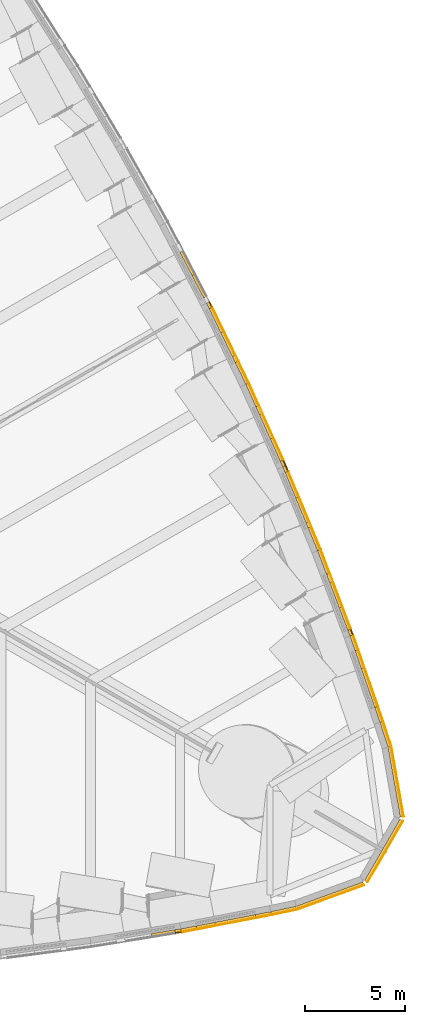
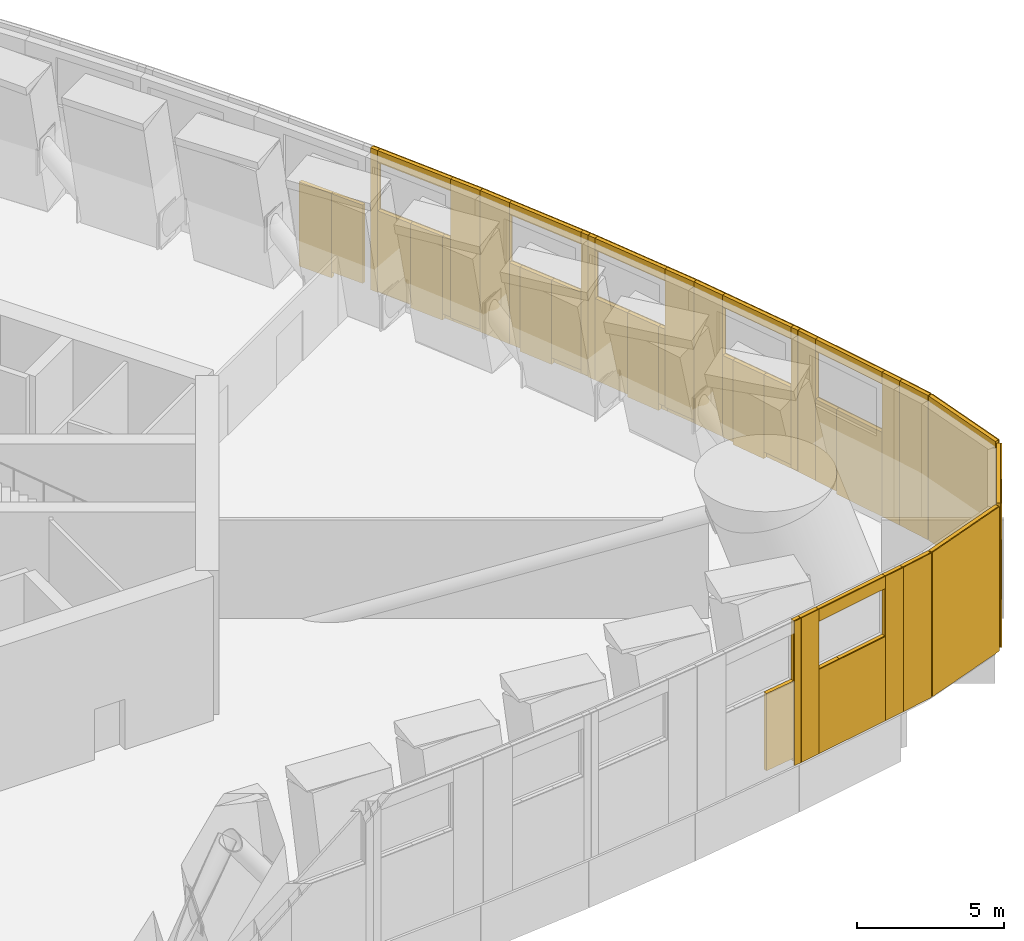
# One storey, part 24 of 28: 73 coverings.
"""IFC4 building model written with IfcOpenShell, lengths in metres."""

from ifc_helpers import new_model, si_unit, direction, frame, origin, origin_2d, place, context, subcontext, project, spatial, rectangle, extrude, material, layer, layer_set, type_object, element, save


model = new_model("IFC4")

# Units and contexts
model_context = context("Model", 3, precision=1e-05, world=origin(), true_north=direction((0.0, 1.0)))
body_context = subcontext(model_context, "Body", "Model", "MODEL_VIEW")
ifc_project = project(units=[si_unit("LENGTHUNIT", "METRE"), si_unit("AREAUNIT", "SQUARE_METRE"), si_unit("VOLUMEUNIT", "CUBIC_METRE"), si_unit("PLANEANGLEUNIT", "RADIAN"), si_unit("MASSUNIT", "GRAM", prefix="KILO")], contexts=[model_context])

# Site, building, storey
site_placement = place(None, origin())
site = spatial("IfcSite", under=ifc_project, at=site_placement, CompositionType="ELEMENT")
building_placement = place(site_placement, origin())
building = spatial("IfcBuilding", under=site, at=building_placement, Name="Trefoil Bronze Tower", CompositionType="ELEMENT")
storey_placement = place(building_placement, frame((0.0, 0.0, 92.10009765625)))
storey = spatial("IfcBuildingStorey", under=building, at=storey_placement, Name="L21", CompositionType="ELEMENT", Elevation=92.10009765625)

# Coverings
ifc_material_1 = material(Name="Bronze-finish aluminium rainscreen panel on aluminium rails", Category="aluminium")
ifc_layer_1 = layer(ifc_material_1, 0.0400390625)
ifc_layer_set_1 = layer_set([ifc_layer_1], Name="Bronze cladding panel 40")
covering_type_1 = type_object("IfcCoveringType", Name="Bronze cladding panel 40", PredefinedType="CLADDING", material=ifc_layer_set_1)
covering_1_placement = place(storey_placement, frame((26.903076171875, -25.5703125, 0.0), z_axis=(0.0, 0.0, 1.0), x_axis=(0.987181315147, 0.159602791403, 0.0)))
element("IfcCovering", 1, at=covering_1_placement, inside=storey, type_object=covering_type_1, Name="Cladding panel L21 Face 1.14 piece 2", PredefinedType="CLADDING", context=body_context, shape_type="SweptSolid", body=[
    extrude(rectangle(XDim=0.300048828125, YDim=0.0400390625, at=origin_2d()), origin(), (0.0, 0.0, 1.0), 6.0),
])
for number, where, z_axis, x_axis, name in (
    (2, (27.44873046875, -25.469970703125, 0.0), (0.0, 0.0, 1.0), (0.982049823817, 0.188621694249, 0.0), "Cladding panel L21 Face 1.15 piece 1"),
    (3, (31.171875, -24.7548828125, 0.0), (0.0, 0.0, 1.0), (0.982049823817, 0.188621694249, 0.0), "Cladding panel L21 Face 1.15 piece 2"),
):
    element("IfcCovering", number, at=place(storey_placement, frame(where, z_axis=z_axis, x_axis=x_axis)), inside=storey, type_object=covering_type_1, Name=name, PredefinedType="CLADDING", context=body_context, shape_type="SweptSolid", body=[
        extrude(rectangle(XDim=0.791015625, YDim=0.0400390625, at=origin_2d()), origin(), (0.0, 0.0, 1.0), 6.0),
    ])
covering_2_placement = place(storey_placement, frame((29.310302734375, -25.112548828125, 0.0), z_axis=(0.0, 0.0, 1.0), x_axis=(0.982049823817, 0.188621694249, 0.0)))
element("IfcCovering", 4, at=covering_2_placement, inside=storey, type_object=covering_type_1, Name="Cladding panel L21 Face 1.15 piece 3", PredefinedType="CLADDING", context=body_context, shape_type="SweptSolid", body=[
    extrude(rectangle(XDim=3.0, YDim=0.0400390625, at=origin_2d()), origin(), (0.0, 0.0, 1.0), 3.5),
])
covering_3_placement = place(storey_placement, frame((29.310302734375, -25.112548828125, 5.5), z_axis=(0.0, 0.0, 1.0), x_axis=(0.982049823817, 0.188621694249, 0.0)))
element("IfcCovering", 5, at=covering_3_placement, inside=storey, type_object=covering_type_1, Name="Cladding panel L21 Face 1.15 piece 4", PredefinedType="CLADDING", context=body_context, shape_type="SweptSolid", body=[
    extrude(rectangle(XDim=3.0, YDim=0.0400390625, at=origin_2d()), origin(), (0.0, 0.0, 1.0), 0.5),
])
covering_4_placement = place(storey_placement, frame((32.197509765625, -24.54541015625, 0.0), z_axis=(0.0, 0.0, 1.0), x_axis=(0.978302717045, 0.20718058264, 0.0)))
element("IfcCovering", 6, at=covering_4_placement, inside=storey, type_object=covering_type_1, Name="Cladding panel L21 Face 1.16 piece 1", PredefinedType="CLADDING", context=body_context, shape_type="SweptSolid", body=[
    extrude(rectangle(XDim=1.290283203125, YDim=0.0400390625, at=origin_2d()), origin(), (0.0, 0.0, 1.0), 6.0),
])
for number, where, z_axis, x_axis, name in (
    (7, (34.537841796875, -23.79296875, 0.0), (0.0, 0.0, 1.0), (0.939692620756, 0.342020143408, 0.0), "Cladding panel L21 Corner 1.1 piece 1"),
    (8, (37.2578125, -21.5107421875, 0.0), (0.0, 0.0, 1.0), (0.499999999909, 0.866025403837, 0.0), "Cladding panel L21 Corner 1.2 piece 1"),
    (9, (37.874267578125, -18.013916015625, 0.0), (0.0, 0.0, 1.0), (-0.173648177633, 0.984807753018, 0.0), "Cladding panel L21 Corner 1.3 piece 1"),
):
    element("IfcCovering", number, at=place(storey_placement, frame(where, z_axis=z_axis, x_axis=x_axis)), inside=storey, type_object=covering_type_1, Name=name, PredefinedType="CLADDING", context=body_context, shape_type="SweptSolid", body=[
        extrude(rectangle(XDim=3.545654296875, YDim=0.0400390625, at=origin_2d()), origin(), (0.0, 0.0, 1.0), 6.0),
    ])
covering_5_placement = place(storey_placement, frame((37.355712890625, -15.611083984375, 0.0), z_axis=(0.0, 0.0, 1.0), x_axis=(-0.309727710653, 0.950825296915, 0.0)))
element("IfcCovering", 10, at=covering_5_placement, inside=storey, type_object=covering_type_1, Name="Cladding panel L21 Face 2.1 piece 1", PredefinedType="CLADDING", context=body_context, shape_type="SweptSolid", body=[
    extrude(rectangle(XDim=1.290283203125, YDim=0.0400390625, at=origin_2d()), origin(), (0.0, 0.0, 1.0), 6.0),
])
for number, where, z_axis, x_axis, name in (
    (11, (37.0244140625, -14.6181640625, 0.0), (0.0, 0.0, 1.0), (-0.327673733133, 0.94479094228, 0.0), "Cladding panel L21 Face 2.2 piece 1"),
    (12, (35.781982421875, -11.036376953125, 0.0), (0.0, 0.0, 1.0), (-0.327673733133, 0.94479094228, 0.0), "Cladding panel L21 Face 2.2 piece 2"),
):
    element("IfcCovering", number, at=place(storey_placement, frame(where, z_axis=z_axis, x_axis=x_axis)), inside=storey, type_object=covering_type_1, Name=name, PredefinedType="CLADDING", context=body_context, shape_type="SweptSolid", body=[
        extrude(rectangle(XDim=0.791015625, YDim=0.0400390625, at=origin_2d()), origin(), (0.0, 0.0, 1.0), 6.0),
    ])
covering_6_placement = place(storey_placement, frame((36.4033203125, -12.827392578125, 0.0), z_axis=(0.0, 0.0, 1.0), x_axis=(-0.327673733133, 0.94479094228, 0.0)))
element("IfcCovering", 13, at=covering_6_placement, inside=storey, type_object=covering_type_1, Name="Cladding panel L21 Face 2.2 piece 3", PredefinedType="CLADDING", context=body_context, shape_type="SweptSolid", body=[
    extrude(rectangle(XDim=3.0, YDim=0.0400390625, at=origin_2d()), origin(), (0.0, 0.0, 1.0), 3.5),
])
covering_7_placement = place(storey_placement, frame((36.4033203125, -12.827392578125, 5.5), z_axis=(0.0, 0.0, 1.0), x_axis=(-0.327673733133, 0.94479094228, 0.0)))
element("IfcCovering", 14, at=covering_7_placement, inside=storey, type_object=covering_type_1, Name="Cladding panel L21 Face 2.2 piece 4", PredefinedType="CLADDING", context=body_context, shape_type="SweptSolid", body=[
    extrude(rectangle(XDim=3.0, YDim=0.0400390625, at=origin_2d()), origin(), (0.0, 0.0, 1.0), 0.5),
])
covering_8_placement = place(storey_placement, frame((35.595947265625, -10.513671875, 0.0), z_axis=(0.0, 0.0, 1.0), x_axis=(-0.35537058554, 0.934725492823, 0.0)))
element("IfcCovering", 15, at=covering_8_placement, inside=storey, type_object=covering_type_1, Name="Cladding panel L21 Face 2.3 piece 1", PredefinedType="CLADDING", context=body_context, shape_type="SweptSolid", body=[
    extrude(rectangle(XDim=0.300048828125, YDim=0.0400390625, at=origin_2d()), origin(), (0.0, 0.0, 1.0), 6.0),
])
covering_9_placement = place(storey_placement, frame((34.2529296875, -6.98095703125, 0.0), z_axis=(0.0, 0.0, 1.0), x_axis=(-0.35537058554, 0.934725492823, 0.0)))
element("IfcCovering", 16, at=covering_9_placement, inside=storey, type_object=covering_type_1, Name="Cladding panel L21 Face 2.3 piece 2", PredefinedType="CLADDING", context=body_context, shape_type="SweptSolid", body=[
    extrude(rectangle(XDim=1.258544921875, YDim=0.0400390625, at=origin_2d()), origin(), (0.0, 0.0, 1.0), 6.0),
])
covering_10_placement = place(storey_placement, frame((35.009521484375, -8.97119140625, 0.0), z_axis=(0.0, 0.0, 1.0), x_axis=(-0.35537058554, 0.934725492823, 0.0)))
element("IfcCovering", 17, at=covering_10_placement, inside=storey, type_object=covering_type_1, Name="Cladding panel L21 Face 2.3 piece 3", PredefinedType="CLADDING", context=body_context, shape_type="SweptSolid", body=[
    extrude(rectangle(XDim=3.0, YDim=0.0400390625, at=origin_2d()), origin(), (0.0, 0.0, 1.0), 3.5),
])
covering_11_placement = place(storey_placement, frame((35.009521484375, -8.97119140625, 5.5), z_axis=(0.0, 0.0, 1.0), x_axis=(-0.35537058554, 0.934725492823, 0.0)))
element("IfcCovering", 18, at=covering_11_placement, inside=storey, type_object=covering_type_1, Name="Cladding panel L21 Face 2.3 piece 4", PredefinedType="CLADDING", context=body_context, shape_type="SweptSolid", body=[
    extrude(rectangle(XDim=3.0, YDim=0.0400390625, at=origin_2d()), origin(), (0.0, 0.0, 1.0), 0.5),
])
covering_12_placement = place(storey_placement, frame((33.788818359375, -5.811767578125, 0.0), z_axis=(0.0, 0.0, 1.0), x_axis=(-0.382629580809, 0.923901836718, 0.0)))
element("IfcCovering", 19, at=covering_12_placement, inside=storey, type_object=covering_type_1, Name="Cladding panel L21 Face 2.4 piece 1", PredefinedType="CLADDING", context=body_context, shape_type="SweptSolid", body=[
    extrude(rectangle(XDim=1.23876953125, YDim=0.0400390625, at=origin_2d()), origin(), (0.0, 0.0, 1.0), 6.0),
])
covering_13_placement = place(storey_placement, frame((32.346435546875, -2.329345703125, 0.0), z_axis=(0.0, 0.0, 1.0), x_axis=(-0.382629580809, 0.923901836718, 0.0)))
element("IfcCovering", 20, at=covering_13_placement, inside=storey, type_object=covering_type_1, Name="Cladding panel L21 Face 2.4 piece 2", PredefinedType="CLADDING", context=body_context, shape_type="SweptSolid", body=[
    extrude(rectangle(XDim=0.300048828125, YDim=0.0400390625, at=origin_2d()), origin(), (0.0, 0.0, 1.0), 6.0),
])
covering_14_placement = place(storey_placement, frame((32.977783203125, -3.853759765625, 0.0), z_axis=(0.0, 0.0, 1.0), x_axis=(-0.382629580809, 0.923901836718, 0.0)))
element("IfcCovering", 21, at=covering_14_placement, inside=storey, type_object=covering_type_1, Name="Cladding panel L21 Face 2.4 piece 3", PredefinedType="CLADDING", context=body_context, shape_type="SweptSolid", body=[
    extrude(rectangle(XDim=3.0, YDim=0.0400390625, at=origin_2d()), origin(), (0.0, 0.0, 1.0), 3.5),
])
covering_15_placement = place(storey_placement, frame((32.977783203125, -3.853759765625, 5.5), z_axis=(0.0, 0.0, 1.0), x_axis=(-0.382629580809, 0.923901836718, 0.0)))
element("IfcCovering", 22, at=covering_15_placement, inside=storey, type_object=covering_type_1, Name="Cladding panel L21 Face 2.4 piece 4", PredefinedType="CLADDING", context=body_context, shape_type="SweptSolid", body=[
    extrude(rectangle(XDim=3.0, YDim=0.0400390625, at=origin_2d()), origin(), (0.0, 0.0, 1.0), 0.5),
])
covering_16_placement = place(storey_placement, frame((32.22412109375, -2.045166015625, 0.0), z_axis=(0.0, 0.0, 1.0), x_axis=(-0.409456357969, 0.912329705161, 0.0)))
element("IfcCovering", 23, at=covering_16_placement, inside=storey, type_object=covering_type_1, Name="Cladding panel L21 Face 2.5 piece 1", PredefinedType="CLADDING", context=body_context, shape_type="SweptSolid", body=[
    extrude(rectangle(XDim=0.300048828125, YDim=0.0400390625, at=origin_2d()), origin(), (0.0, 0.0, 1.0), 6.0),
])
covering_17_placement = place(storey_placement, frame((30.683837890625, 1.38671875, 0.0), z_axis=(0.0, 0.0, 1.0), x_axis=(-0.409456357969, 0.912329705161, 0.0)))
element("IfcCovering", 24, at=covering_17_placement, inside=storey, type_object=covering_type_1, Name="Cladding panel L21 Face 2.5 piece 2", PredefinedType="CLADDING", context=body_context, shape_type="SweptSolid", body=[
    extrude(rectangle(XDim=1.223388671875, YDim=0.0400390625, at=origin_2d()), origin(), (0.0, 0.0, 1.0), 6.0),
])
covering_18_placement = place(storey_placement, frame((31.54833984375, -0.5400390625, 0.0), z_axis=(0.0, 0.0, 1.0), x_axis=(-0.409456357969, 0.912329705161, 0.0)))
element("IfcCovering", 25, at=covering_18_placement, inside=storey, type_object=covering_type_1, Name="Cladding panel L21 Face 2.5 piece 3", PredefinedType="CLADDING", context=body_context, shape_type="SweptSolid", body=[
    extrude(rectangle(XDim=3.0, YDim=0.0400390625, at=origin_2d()), origin(), (0.0, 0.0, 1.0), 3.5),
])
covering_19_placement = place(storey_placement, frame((31.54833984375, -0.5400390625, 5.5), z_axis=(0.0, 0.0, 1.0), x_axis=(-0.409456357969, 0.912329705161, 0.0)))
element("IfcCovering", 26, at=covering_19_placement, inside=storey, type_object=covering_type_1, Name="Cladding panel L21 Face 2.5 piece 4", PredefinedType="CLADDING", context=body_context, shape_type="SweptSolid", body=[
    extrude(rectangle(XDim=3.0, YDim=0.0400390625, at=origin_2d()), origin(), (0.0, 0.0, 1.0), 0.5),
])
covering_20_placement = place(storey_placement, frame((30.165283203125, 2.49853515625, 0.0), z_axis=(0.0, 0.0, 1.0), x_axis=(-0.43585534581, 0.900016731805, 0.0)))
element("IfcCovering", 27, at=covering_20_placement, inside=storey, type_object=covering_type_1, Name="Cladding panel L21 Face 2.6 piece 1", PredefinedType="CLADDING", context=body_context, shape_type="SweptSolid", body=[
    extrude(rectangle(XDim=1.2119140625, YDim=0.0400390625, at=origin_2d()), origin(), (0.0, 0.0, 1.0), 6.0),
])
covering_21_placement = place(storey_placement, frame((28.5283203125, 5.87890625, 0.0), z_axis=(0.0, 0.0, 1.0), x_axis=(-0.43585534581, 0.900016731805, 0.0)))
element("IfcCovering", 28, at=covering_21_placement, inside=storey, type_object=covering_type_1, Name="Cladding panel L21 Face 2.6 piece 2", PredefinedType="CLADDING", context=body_context, shape_type="SweptSolid", body=[
    extrude(rectangle(XDim=0.300048828125, YDim=0.0400390625, at=origin_2d()), origin(), (0.0, 0.0, 1.0), 6.0),
])
covering_22_placement = place(storey_placement, frame((29.247314453125, 4.393798828125, 0.0), z_axis=(0.0, 0.0, 1.0), x_axis=(-0.43585534581, 0.900016731805, 0.0)))
element("IfcCovering", 29, at=covering_22_placement, inside=storey, type_object=covering_type_1, Name="Cladding panel L21 Face 2.6 piece 3", PredefinedType="CLADDING", context=body_context, shape_type="SweptSolid", body=[
    extrude(rectangle(XDim=3.0, YDim=0.0400390625, at=origin_2d()), origin(), (0.0, 0.0, 1.0), 3.5),
])
covering_23_placement = place(storey_placement, frame((29.247314453125, 4.393798828125, 5.5), z_axis=(0.0, 0.0, 1.0), x_axis=(-0.43585534581, 0.900016731805, 0.0)))
element("IfcCovering", 30, at=covering_23_placement, inside=storey, type_object=covering_type_1, Name="Cladding panel L21 Face 2.6 piece 4", PredefinedType="CLADDING", context=body_context, shape_type="SweptSolid", body=[
    extrude(rectangle(XDim=3.0, YDim=0.0400390625, at=origin_2d()), origin(), (0.0, 0.0, 1.0), 0.5),
])
ifc_material_2 = material(Name="Non-combustible mineral wool slab", Category="insulation")
ifc_layer_2 = layer(ifc_material_2, 0.14990234375)
ifc_layer_set_2 = layer_set([ifc_layer_2], Name="Rainscreen insulation 150")
covering_type_2 = type_object("IfcCoveringType", Name="Rainscreen insulation 150", PredefinedType="INSULATION", material=ifc_layer_set_2)
covering_24_placement = place(storey_placement, frame((26.887939453125, -25.476318359375, 0.15966796875), z_axis=(0.0, 0.0, 1.0), x_axis=(0.987181315147, 0.159602791403, 0.0)))
element("IfcCovering", 31, at=covering_24_placement, inside=storey, type_object=covering_type_2, Name="Insulation L21 Face 1.14 piece 2", PredefinedType="INSULATION", context=body_context, shape_type="SweptSolid", body=[
    extrude(rectangle(XDim=0.300048828125, YDim=0.14990234375, at=origin_2d()), origin(), (0.0, 0.0, 1.0), 5.840087890625),
])
covering_25_placement = place(storey_placement, frame((26.152099609375, -25.595458984375, 0.2900390625), z_axis=(0.0, 0.0, 1.0), x_axis=(0.987181315147, 0.159602791403, 0.0)))
element("IfcCovering", 32, at=covering_25_placement, inside=storey, type_object=covering_type_2, Name="Insulation L21 Face 1.14 piece 3 part 3", PredefinedType="INSULATION", context=body_context, shape_type="SweptSolid", body=[
    extrude(rectangle(XDim=1.1904296875, YDim=0.14990234375, at=origin_2d()), origin(), (0.0, 0.0, 1.0), 3.2099609375),
])
covering_26_placement = place(storey_placement, frame((27.430908203125, -25.376708984375, 0.1298828125), z_axis=(0.0, 0.0, 1.0), x_axis=(0.982049823817, 0.188621694249, 0.0)))
element("IfcCovering", 33, at=covering_26_placement, inside=storey, type_object=covering_type_2, Name="Insulation L21 Face 1.15 piece 1", PredefinedType="INSULATION", context=body_context, shape_type="SweptSolid", body=[
    extrude(rectangle(XDim=0.791015625, YDim=0.14990234375, at=origin_2d()), origin(), (0.0, 0.0, 1.0), 5.8701171875),
])
covering_27_placement = place(storey_placement, frame((31.154052734375, -24.66162109375, 0.0), z_axis=(0.0, 0.0, 1.0), x_axis=(0.982049823817, 0.188621694249, 0.0)))
element("IfcCovering", 34, at=covering_27_placement, inside=storey, type_object=covering_type_2, Name="Insulation L21 Face 1.15 piece 2", PredefinedType="INSULATION", context=body_context, shape_type="SweptSolid", body=[
    extrude(rectangle(XDim=0.791015625, YDim=0.14990234375, at=origin_2d()), origin(), (0.0, 0.0, 1.0), 6.0),
])
covering_28_placement = place(storey_placement, frame((28.281005859375, -25.21337890625, 0.11474609375), z_axis=(0.0, 0.0, 1.0), x_axis=(0.982049823817, 0.188621694249, 0.0)))
element("IfcCovering", 35, at=covering_28_placement, inside=storey, type_object=covering_type_2, Name="Insulation L21 Face 1.15 piece 3", PredefinedType="INSULATION", context=body_context, shape_type="SweptSolid", body=[
    extrude(rectangle(XDim=0.93994140625, YDim=0.14990234375, at=origin_2d()), origin(), (0.0, 0.0, 1.0), 3.385009765625),
])
covering_29_placement = place(storey_placement, frame((29.75390625, -24.930419921875, 0.0), z_axis=(0.0, 0.0, 1.0), x_axis=(0.982049823817, 0.188621694249, 0.0)))
element("IfcCovering", 36, at=covering_29_placement, inside=storey, type_object=covering_type_2, Name="Insulation L21 Face 1.15 piece 3 part 2", PredefinedType="INSULATION", context=body_context, shape_type="SweptSolid", body=[
    extrude(rectangle(XDim=2.06005859375, YDim=0.14990234375, at=origin_2d()), origin(), (0.0, 0.0, 1.0), 3.5),
])
covering_30_placement = place(storey_placement, frame((29.29248046875, -25.019287109375, 5.5), z_axis=(0.0, 0.0, 1.0), x_axis=(0.982049823817, 0.188621694249, 0.0)))
element("IfcCovering", 37, at=covering_30_placement, inside=storey, type_object=covering_type_2, Name="Insulation L21 Face 1.15 piece 4", PredefinedType="INSULATION", context=body_context, shape_type="SweptSolid", body=[
    extrude(rectangle(XDim=3.0, YDim=0.14990234375, at=origin_2d()), origin(), (0.0, 0.0, 1.0), 0.5),
])
covering_31_placement = place(storey_placement, frame((32.177734375, -24.452392578125, 0.0), z_axis=(0.0, 0.0, 1.0), x_axis=(0.978302717045, 0.20718058264, 0.0)))
element("IfcCovering", 38, at=covering_31_placement, inside=storey, type_object=covering_type_2, Name="Insulation L21 Face 1.16 piece 1", PredefinedType="INSULATION", context=body_context, shape_type="SweptSolid", body=[
    extrude(rectangle(XDim=1.290283203125, YDim=0.14990234375, at=origin_2d()), origin(), (0.0, 0.0, 1.0), 6.0),
])
for number, where, z_axis, x_axis, name in (
    (39, (34.505126953125, -23.703857421875, 0.0), (0.0, 0.0, 1.0), (0.939692620756, 0.342020143408, 0.0), "Insulation L21 Corner 1.1 piece 1"),
    (40, (37.175537109375, -21.463134765625, 0.0), (0.0, 0.0, 1.0), (0.499999999909, 0.866025403837, 0.0), "Insulation L21 Corner 1.2 piece 1"),
    (41, (37.78076171875, -18.030517578125, 0.0), (0.0, 0.0, 1.0), (-0.173648177633, 0.984807753018, 0.0), "Insulation L21 Corner 1.3 piece 1"),
):
    element("IfcCovering", number, at=place(storey_placement, frame(where, z_axis=z_axis, x_axis=x_axis)), inside=storey, type_object=covering_type_2, Name=name, PredefinedType="INSULATION", context=body_context, shape_type="SweptSolid", body=[
        extrude(rectangle(XDim=3.545654296875, YDim=0.14990234375, at=origin_2d()), origin(), (0.0, 0.0, 1.0), 6.0),
    ])
covering_32_placement = place(storey_placement, frame((37.265380859375, -15.640625, 0.0), z_axis=(0.0, 0.0, 1.0), x_axis=(-0.309727710653, 0.950825296915, 0.0)))
element("IfcCovering", 42, at=covering_32_placement, inside=storey, type_object=covering_type_2, Name="Insulation L21 Face 2.1 piece 1", PredefinedType="INSULATION", context=body_context, shape_type="SweptSolid", body=[
    extrude(rectangle(XDim=1.290283203125, YDim=0.14990234375, at=origin_2d()), origin(), (0.0, 0.0, 1.0), 6.0),
])
covering_33_placement = place(storey_placement, frame((36.9345703125, -14.6494140625, 0.0), z_axis=(0.0, 0.0, 1.0), x_axis=(-0.327673733133, 0.94479094228, 0.0)))
element("IfcCovering", 43, at=covering_33_placement, inside=storey, type_object=covering_type_2, Name="Insulation L21 Face 2.2 piece 1", PredefinedType="INSULATION", context=body_context, shape_type="SweptSolid", body=[
    extrude(rectangle(XDim=0.791015625, YDim=0.14990234375, at=origin_2d()), origin(), (0.0, 0.0, 1.0), 6.0),
])
covering_34_placement = place(storey_placement, frame((35.6923828125, -11.0673828125, 0.1298828125), z_axis=(0.0, 0.0, 1.0), x_axis=(-0.327673733133, 0.94479094228, 0.0)))
element("IfcCovering", 44, at=covering_34_placement, inside=storey, type_object=covering_type_2, Name="Insulation L21 Face 2.2 piece 2", PredefinedType="INSULATION", context=body_context, shape_type="SweptSolid", body=[
    extrude(rectangle(XDim=0.791015625, YDim=0.14990234375, at=origin_2d()), origin(), (0.0, 0.0, 1.0), 5.8701171875),
])
covering_35_placement = place(storey_placement, frame((36.467529296875, -13.302490234375, 0.0), z_axis=(0.0, 0.0, 1.0), x_axis=(-0.327673733133, 0.94479094228, 0.0)))
element("IfcCovering", 45, at=covering_35_placement, inside=storey, type_object=covering_type_2, Name="Insulation L21 Face 2.2 piece 3", PredefinedType="INSULATION", context=body_context, shape_type="SweptSolid", body=[
    extrude(rectangle(XDim=2.06005859375, YDim=0.14990234375, at=origin_2d()), origin(), (0.0, 0.0, 1.0), 3.5),
])
covering_36_placement = place(storey_placement, frame((35.97607421875, -11.88525390625, 0.11474609375), z_axis=(0.0, 0.0, 1.0), x_axis=(-0.327673733133, 0.94479094228, 0.0)))
element("IfcCovering", 46, at=covering_36_placement, inside=storey, type_object=covering_type_2, Name="Insulation L21 Face 2.2 piece 3 part 2", PredefinedType="INSULATION", context=body_context, shape_type="SweptSolid", body=[
    extrude(rectangle(XDim=0.93994140625, YDim=0.14990234375, at=origin_2d()), origin(), (0.0, 0.0, 1.0), 3.385009765625),
])
covering_37_placement = place(storey_placement, frame((36.3134765625, -12.8583984375, 5.5), z_axis=(0.0, 0.0, 1.0), x_axis=(-0.327673733133, 0.94479094228, 0.0)))
element("IfcCovering", 47, at=covering_37_placement, inside=storey, type_object=covering_type_2, Name="Insulation L21 Face 2.2 piece 4", PredefinedType="INSULATION", context=body_context, shape_type="SweptSolid", body=[
    extrude(rectangle(XDim=3.0, YDim=0.14990234375, at=origin_2d()), origin(), (0.0, 0.0, 1.0), 0.5),
])
covering_38_placement = place(storey_placement, frame((35.507080078125, -10.54736328125, 0.15966796875), z_axis=(0.0, 0.0, 1.0), x_axis=(-0.35537058554, 0.934725492823, 0.0)))
element("IfcCovering", 48, at=covering_38_placement, inside=storey, type_object=covering_type_2, Name="Insulation L21 Face 2.3 piece 1", PredefinedType="INSULATION", context=body_context, shape_type="SweptSolid", body=[
    extrude(rectangle(XDim=0.300048828125, YDim=0.14990234375, at=origin_2d()), origin(), (0.0, 0.0, 1.0), 5.840087890625),
])
covering_39_placement = place(storey_placement, frame((34.1640625, -7.014892578125, 0.119873046875), z_axis=(0.0, 0.0, 1.0), x_axis=(-0.35537058554, 0.934725492823, 0.0)))
element("IfcCovering", 49, at=covering_39_placement, inside=storey, type_object=covering_type_2, Name="Insulation L21 Face 2.3 piece 2", PredefinedType="INSULATION", context=body_context, shape_type="SweptSolid", body=[
    extrude(rectangle(XDim=1.258544921875, YDim=0.14990234375, at=origin_2d()), origin(), (0.0, 0.0, 1.0), 5.8798828125),
])
covering_40_placement = place(storey_placement, frame((35.242431640625, -9.85107421875, 0.2900390625), z_axis=(0.0, 0.0, 1.0), x_axis=(-0.35537058554, 0.934725492823, 0.0)))
element("IfcCovering", 50, at=covering_40_placement, inside=storey, type_object=covering_type_2, Name="Insulation L21 Face 2.3 piece 3", PredefinedType="INSULATION", context=body_context, shape_type="SweptSolid", body=[
    extrude(rectangle(XDim=1.18994140625, YDim=0.14990234375, at=origin_2d()), origin(), (0.0, 0.0, 1.0), 3.2099609375),
])
covering_41_placement = place(storey_placement, frame((34.789306640625, -8.6591796875, 0.0), z_axis=(0.0, 0.0, 1.0), x_axis=(-0.35537058554, 0.934725492823, 0.0)))
element("IfcCovering", 51, at=covering_41_placement, inside=storey, type_object=covering_type_2, Name="Insulation L21 Face 2.3 piece 3 part 2", PredefinedType="INSULATION", context=body_context, shape_type="SweptSolid", body=[
    extrude(rectangle(XDim=1.360107421875, YDim=0.14990234375, at=origin_2d()), origin(), (0.0, 0.0, 1.0), 3.5),
])
covering_42_placement = place(storey_placement, frame((34.4677734375, -7.813232421875, 0.10498046875), z_axis=(0.0, 0.0, 1.0), x_axis=(-0.35537058554, 0.934725492823, 0.0)))
element("IfcCovering", 52, at=covering_42_placement, inside=storey, type_object=covering_type_2, Name="Insulation L21 Face 2.3 piece 3 part 3", PredefinedType="INSULATION", context=body_context, shape_type="SweptSolid", body=[
    extrude(rectangle(XDim=0.449951171875, YDim=0.14990234375, at=origin_2d()), origin(), (0.0, 0.0, 1.0), 3.39501953125),
])
covering_43_placement = place(storey_placement, frame((34.9208984375, -9.005126953125, 5.5), z_axis=(0.0, 0.0, 1.0), x_axis=(-0.35537058554, 0.934725492823, 0.0)))
element("IfcCovering", 53, at=covering_43_placement, inside=storey, type_object=covering_type_2, Name="Insulation L21 Face 2.3 piece 4", PredefinedType="INSULATION", context=body_context, shape_type="SweptSolid", body=[
    extrude(rectangle(XDim=3.0, YDim=0.14990234375, at=origin_2d()), origin(), (0.0, 0.0, 1.0), 0.5),
])
covering_44_placement = place(storey_placement, frame((33.701171875, -5.84814453125, 0.259765625), z_axis=(0.0, 0.0, 1.0), x_axis=(-0.382629580809, 0.923901836718, 0.0)))
element("IfcCovering", 54, at=covering_44_placement, inside=storey, type_object=covering_type_2, Name="Insulation L21 Face 2.4 piece 1", PredefinedType="INSULATION", context=body_context, shape_type="SweptSolid", body=[
    extrude(rectangle(XDim=1.23876953125, YDim=0.14990234375, at=origin_2d()), origin(), (0.0, 0.0, 1.0), 5.739990234375),
])
covering_45_placement = place(storey_placement, frame((32.2587890625, -2.36572265625, 0.10986328125), z_axis=(0.0, 0.0, 1.0), x_axis=(-0.382629580809, 0.923901836718, 0.0)))
element("IfcCovering", 55, at=covering_45_placement, inside=storey, type_object=covering_type_2, Name="Insulation L21 Face 2.4 piece 2", PredefinedType="INSULATION", context=body_context, shape_type="SweptSolid", body=[
    extrude(rectangle(XDim=0.300048828125, YDim=0.14990234375, at=origin_2d()), origin(), (0.0, 0.0, 1.0), 5.889892578125),
])
covering_46_placement = place(storey_placement, frame((33.412353515625, -5.151123046875, 0.2900390625), z_axis=(0.0, 0.0, 1.0), x_axis=(-0.382629580809, 0.923901836718, 0.0)))
element("IfcCovering", 56, at=covering_46_placement, inside=storey, type_object=covering_type_2, Name="Insulation L21 Face 2.4 piece 3", PredefinedType="INSULATION", context=body_context, shape_type="SweptSolid", body=[
    extrude(rectangle(XDim=0.27001953125, YDim=0.14990234375, at=origin_2d()), origin(), (0.0, 0.0, 1.0), 3.2099609375),
])
covering_47_placement = place(storey_placement, frame((33.1044921875, -4.407470703125, 0.0), z_axis=(0.0, 0.0, 1.0), x_axis=(-0.382629580809, 0.923901836718, 0.0)))
element("IfcCovering", 57, at=covering_47_placement, inside=storey, type_object=covering_type_2, Name="Insulation L21 Face 2.4 piece 3 part 2", PredefinedType="INSULATION", context=body_context, shape_type="SweptSolid", body=[
    extrude(rectangle(XDim=1.340087890625, YDim=0.14990234375, at=origin_2d()), origin(), (0.0, 0.0, 1.0), 3.5),
])
covering_48_placement = place(storey_placement, frame((32.58203125, -3.146240234375, 0.10986328125), z_axis=(0.0, 0.0, 1.0), x_axis=(-0.382629580809, 0.923901836718, 0.0)))
element("IfcCovering", 58, at=covering_48_placement, inside=storey, type_object=covering_type_2, Name="Insulation L21 Face 2.4 piece 3 part 3", PredefinedType="INSULATION", context=body_context, shape_type="SweptSolid", body=[
    extrude(rectangle(XDim=1.389892578125, YDim=0.14990234375, at=origin_2d()), origin(), (0.0, 0.0, 1.0), 3.389892578125),
])
covering_49_placement = place(storey_placement, frame((32.89013671875, -3.89013671875, 5.5), z_axis=(0.0, 0.0, 1.0), x_axis=(-0.382629580809, 0.923901836718, 0.0)))
element("IfcCovering", 59, at=covering_49_placement, inside=storey, type_object=covering_type_2, Name="Insulation L21 Face 2.4 piece 4", PredefinedType="INSULATION", context=body_context, shape_type="SweptSolid", body=[
    extrude(rectangle(XDim=3.0, YDim=0.14990234375, at=origin_2d()), origin(), (0.0, 0.0, 1.0), 0.5),
])
covering_50_placement = place(storey_placement, frame((32.137451171875, -2.084228515625, 0.14501953125), z_axis=(0.0, 0.0, 1.0), x_axis=(-0.409456357969, 0.912329705161, 0.0)))
element("IfcCovering", 60, at=covering_50_placement, inside=storey, type_object=covering_type_2, Name="Insulation L21 Face 2.5 piece 1", PredefinedType="INSULATION", context=body_context, shape_type="SweptSolid", body=[
    extrude(rectangle(XDim=0.300048828125, YDim=0.14990234375, at=origin_2d()), origin(), (0.0, 0.0, 1.0), 5.85498046875),
])
covering_51_placement = place(storey_placement, frame((30.59716796875, 1.34765625, 0.125), z_axis=(0.0, 0.0, 1.0), x_axis=(-0.409456357969, 0.912329705161, 0.0)))
element("IfcCovering", 61, at=covering_51_placement, inside=storey, type_object=covering_type_2, Name="Insulation L21 Face 2.5 piece 2", PredefinedType="INSULATION", context=body_context, shape_type="SweptSolid", body=[
    extrude(rectangle(XDim=1.223388671875, YDim=0.14990234375, at=origin_2d()), origin(), (0.0, 0.0, 1.0), 5.875),
])
covering_52_placement = place(storey_placement, frame((31.8251953125, -1.388427734375, 0.27978515625), z_axis=(0.0, 0.0, 1.0), x_axis=(-0.409456357969, 0.912329705161, 0.0)))
element("IfcCovering", 62, at=covering_52_placement, inside=storey, type_object=covering_type_2, Name="Insulation L21 Face 2.5 piece 3", PredefinedType="INSULATION", context=body_context, shape_type="SweptSolid", body=[
    extrude(rectangle(XDim=1.22509765625, YDim=0.14990234375, at=origin_2d()), origin(), (0.0, 0.0, 1.0), 3.219970703125),
])
covering_53_placement = place(storey_placement, frame((31.302001953125, -0.22314453125, 0.0), z_axis=(0.0, 0.0, 1.0), x_axis=(-0.409456357969, 0.912329705161, 0.0)))
element("IfcCovering", 63, at=covering_53_placement, inside=storey, type_object=covering_type_2, Name="Insulation L21 Face 2.5 piece 3 part 2", PredefinedType="INSULATION", context=body_context, shape_type="SweptSolid", body=[
    extrude(rectangle(XDim=1.330078125, YDim=0.14990234375, at=origin_2d()), origin(), (0.0, 0.0, 1.0), 3.5),
])
covering_54_placement = place(storey_placement, frame((30.938720703125, 0.586669921875, 0.1298828125), z_axis=(0.0, 0.0, 1.0), x_axis=(-0.409456357969, 0.912329705161, 0.0)))
element("IfcCovering", 64, at=covering_54_placement, inside=storey, type_object=covering_type_2, Name="Insulation L21 Face 2.5 piece 3 part 3", PredefinedType="INSULATION", context=body_context, shape_type="SweptSolid", body=[
    extrude(rectangle(XDim=0.445068359375, YDim=0.14990234375, at=origin_2d()), origin(), (0.0, 0.0, 1.0), 3.3701171875),
])
covering_55_placement = place(storey_placement, frame((31.461669921875, -0.578857421875, 5.5), z_axis=(0.0, 0.0, 1.0), x_axis=(-0.409456357969, 0.912329705161, 0.0)))
element("IfcCovering", 65, at=covering_55_placement, inside=storey, type_object=covering_type_2, Name="Insulation L21 Face 2.5 piece 4", PredefinedType="INSULATION", context=body_context, shape_type="SweptSolid", body=[
    extrude(rectangle(XDim=3.0, YDim=0.14990234375, at=origin_2d()), origin(), (0.0, 0.0, 1.0), 0.5),
])
covering_56_placement = place(storey_placement, frame((30.079833984375, 2.45703125, 0.22998046875), z_axis=(0.0, 0.0, 1.0), x_axis=(-0.43585534581, 0.900016731805, 0.0)))
element("IfcCovering", 66, at=covering_56_placement, inside=storey, type_object=covering_type_2, Name="Insulation L21 Face 2.6 piece 1", PredefinedType="INSULATION", context=body_context, shape_type="SweptSolid", body=[
    extrude(rectangle(XDim=1.2119140625, YDim=0.14990234375, at=origin_2d()), origin(), (0.0, 0.0, 1.0), 5.77001953125),
])
covering_57_placement = place(storey_placement, frame((28.442626953125, 5.83740234375, 0.10498046875), z_axis=(0.0, 0.0, 1.0), x_axis=(-0.43585534581, 0.900016731805, 0.0)))
element("IfcCovering", 67, at=covering_57_placement, inside=storey, type_object=covering_type_2, Name="Insulation L21 Face 2.6 piece 2", PredefinedType="INSULATION", context=body_context, shape_type="SweptSolid", body=[
    extrude(rectangle(XDim=0.300048828125, YDim=0.14990234375, at=origin_2d()), origin(), (0.0, 0.0, 1.0), 5.89501953125),
])
covering_58_placement = place(storey_placement, frame((29.74267578125, 3.1533203125, 0.2646484375), z_axis=(0.0, 0.0, 1.0), x_axis=(-0.43585534581, 0.900016731805, 0.0)))
element("IfcCovering", 68, at=covering_58_placement, inside=storey, type_object=covering_type_2, Name="Insulation L21 Face 2.6 piece 3", PredefinedType="INSULATION", context=body_context, shape_type="SweptSolid", body=[
    extrude(rectangle(XDim=0.3349609375, YDim=0.14990234375, at=origin_2d()), origin(), (0.0, 0.0, 1.0), 3.235107421875),
])
covering_59_placement = place(storey_placement, frame((29.383056640625, 3.895751953125, 0.0), z_axis=(0.0, 0.0, 1.0), x_axis=(-0.43585534581, 0.900016731805, 0.0)))
element("IfcCovering", 69, at=covering_59_placement, inside=storey, type_object=covering_type_2, Name="Insulation L21 Face 2.6 piece 3 part 2", PredefinedType="INSULATION", context=body_context, shape_type="SweptSolid", body=[
    extrude(rectangle(XDim=1.31494140625, YDim=0.14990234375, at=origin_2d()), origin(), (0.0, 0.0, 1.0), 3.5),
])
covering_60_placement = place(storey_placement, frame((28.80224609375, 5.094970703125, 0.14990234375), z_axis=(0.0, 0.0, 1.0), x_axis=(-0.43585534581, 0.900016731805, 0.0)))
element("IfcCovering", 70, at=covering_60_placement, inside=storey, type_object=covering_type_2, Name="Insulation L21 Face 2.6 piece 3 part 3", PredefinedType="INSULATION", context=body_context, shape_type="SweptSolid", body=[
    extrude(rectangle(XDim=1.35009765625, YDim=0.14990234375, at=origin_2d()), origin(), (0.0, 0.0, 1.0), 3.35009765625),
])
covering_61_placement = place(storey_placement, frame((29.161865234375, 4.3525390625, 5.5), z_axis=(0.0, 0.0, 1.0), x_axis=(-0.43585534581, 0.900016731805, 0.0)))
element("IfcCovering", 71, at=covering_61_placement, inside=storey, type_object=covering_type_2, Name="Insulation L21 Face 2.6 piece 4", PredefinedType="INSULATION", context=body_context, shape_type="SweptSolid", body=[
    extrude(rectangle(XDim=3.0, YDim=0.14990234375, at=origin_2d()), origin(), (0.0, 0.0, 1.0), 0.5),
])
covering_62_placement = place(storey_placement, frame((27.94384765625, 6.805419921875, 0.244873046875), z_axis=(0.0, 0.0, 1.0), x_axis=(-0.46182981834, 0.886968555752, 0.0)))
element("IfcCovering", 72, at=covering_62_placement, inside=storey, type_object=covering_type_2, Name="Insulation L21 Face 2.7 piece 3", PredefinedType="INSULATION", context=body_context, shape_type="SweptSolid", body=[
    extrude(rectangle(XDim=1.264892578125, YDim=0.14990234375, at=origin_2d()), origin(), (0.0, 0.0, 1.0), 3.2548828125),
])
covering_63_placement = place(storey_placement, frame((27.34912109375, 7.947509765625, 0.0), z_axis=(0.0, 0.0, 1.0), x_axis=(-0.46182981834, 0.886968555752, 0.0)))
element("IfcCovering", 73, at=covering_63_placement, inside=storey, type_object=covering_type_2, Name="Insulation L21 Face 2.7 piece 3 part 2", PredefinedType="INSULATION", context=body_context, shape_type="SweptSolid", body=[
    extrude(rectangle(XDim=1.31005859375, YDim=0.14990234375, at=origin_2d()), origin(), (0.0, 0.0, 1.0), 3.5),
])

save(model, "model.ifc")
